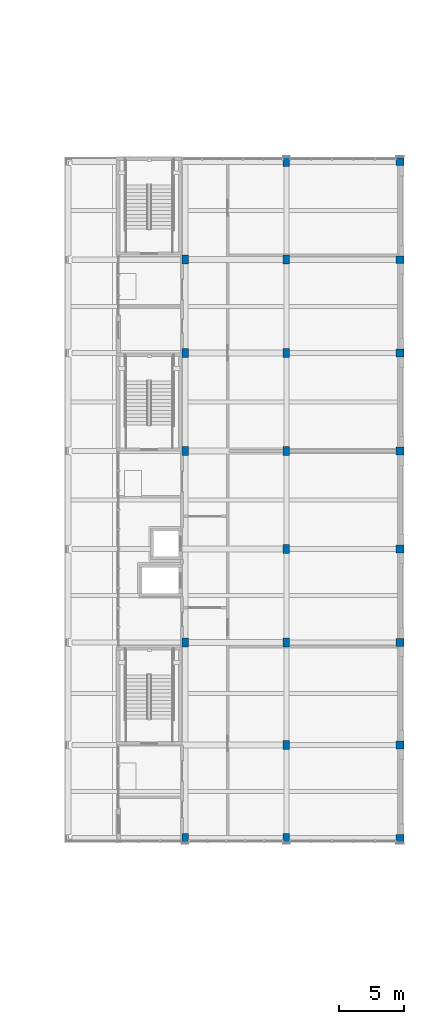
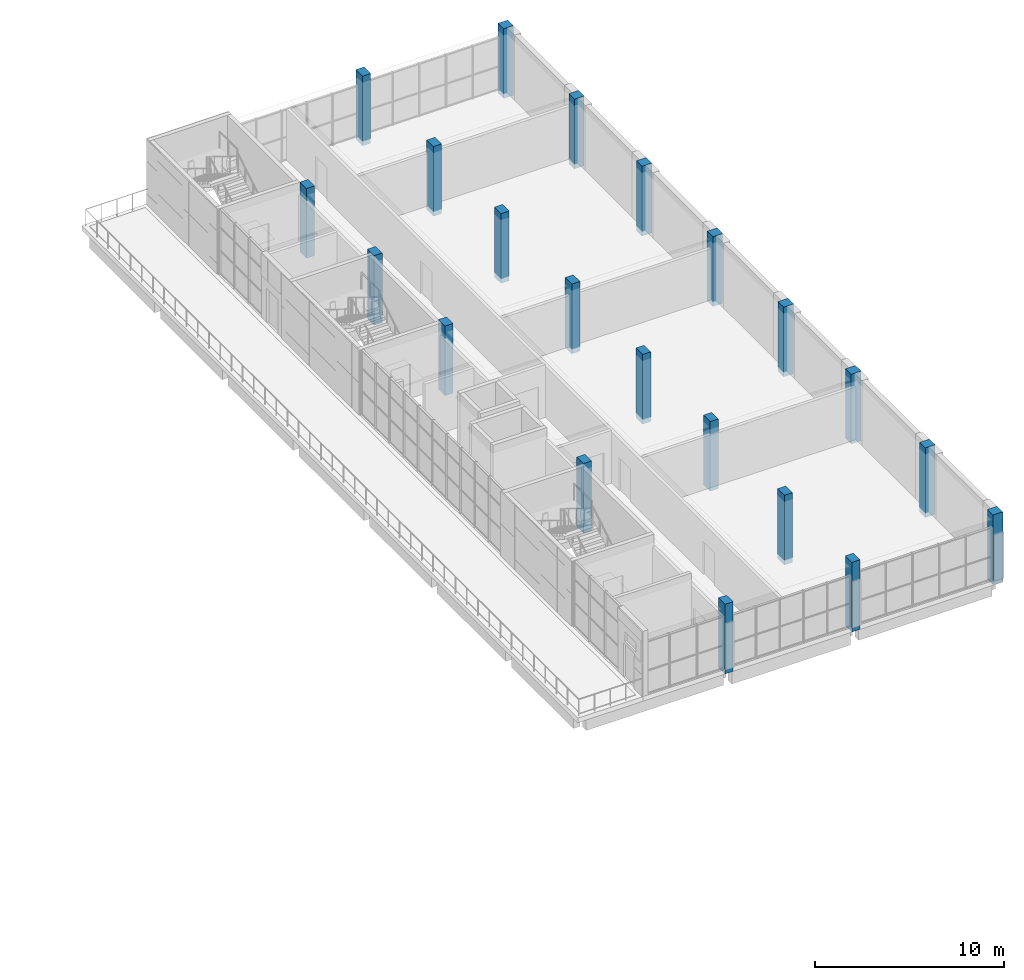
# One storey, part 1 of 36: 21 columns.
"""IFC4 building model written with IfcOpenShell, lengths in metres."""

from ifc_helpers import new_model, si_unit, direction, frame, origin, origin_2d, place, context, subcontext, project, spatial, rectangle, extrude, material, material_profile, profile_set, type_object, element, save


model = new_model("IFC4")

# Units and contexts
model_context = context("Model", 3, precision=1e-05, world=origin(), true_north=direction((0.0, 1.0)))
body_context = subcontext(model_context, "Body", "Model", "MODEL_VIEW")
ifc_project = project(units=[si_unit("LENGTHUNIT", "METRE"), si_unit("AREAUNIT", "SQUARE_METRE"), si_unit("VOLUMEUNIT", "CUBIC_METRE"), si_unit("PLANEANGLEUNIT", "RADIAN"), si_unit("MASSUNIT", "GRAM", prefix="KILO")], contexts=[model_context])

# Site, building, storey
site_placement = place(None, origin())
site = spatial("IfcSite", under=ifc_project, at=site_placement, CompositionType="ELEMENT")
building_placement = place(site_placement, origin())
building = spatial("IfcBuilding", under=site, at=building_placement, Name="Sun Court Science Centre", CompositionType="ELEMENT")
storey_placement = place(building_placement, frame((0.0, 0.0, 24.75)))
storey = spatial("IfcBuildingStorey", under=building, at=storey_placement, Name="L05", CompositionType="ELEMENT", Elevation=24.75)

# Columns
ifc_material_1 = material(Name="Concrete C30/37", Category="concrete")
ifc_material_profile_1 = material_profile(ifc_material_1, rectangle(XDim=0.5, YDim=0.699951171875, at=origin_2d()), Name="RC 500x700")
ifc_profile_set_1 = profile_set([ifc_material_profile_1], Name="Concrete C30/37")
column_type_1 = type_object("IfcColumnType", Name="RC column 500x700", PredefinedType="COLUMN", material=ifc_profile_set_1)
for number, where, z_axis, x_axis, name in (
    (1, (87.25, 28.85009765625, -0.300048828125), (0.0, 0.0, 1.0), (1.0, 0.0, 0.0), "Column 14F L05"),
    (2, (87.25, 43.85009765625, -0.300048828125), (0.0, 0.0, 1.0), (1.0, 0.0, 0.0), "Column 14J L05"),
    (3, (87.25, 58.5, -0.300048828125), (0.0, 0.0, 1.0), (1.0, 0.0, 0.0), "Column 14P L05"),
    (4, (87.25, 66.0, -0.300048828125), (0.0, 0.0, 1.0), (1.0, 0.0, 0.0), "Column 14R L05"),
    (5, (87.25, 73.14990234375, -0.300048828125), (0.0, 0.0, 1.0), (1.0, 0.0, 0.0), "Column 14U L05"),
    (6, (95.0, 28.85009765625, -0.300048828125), (0.0, 0.0, 1.0), (1.0, 0.0, 0.0), "Column 15F L05"),
    (7, (95.0, 36.0, -0.300048828125), (0.0, 0.0, 1.0), (1.0, 0.0, 0.0), "Column 15G L05"),
    (8, (95.0, 43.85009765625, -0.300048828125), (0.0, 0.0, 1.0), (1.0, 0.0, 0.0), "Column 15J L05"),
    (9, (95.0, 51.0, -0.300048828125), (0.0, 0.0, 1.0), (1.0, 0.0, 0.0), "Column 15M L05"),
    (10, (95.0, 58.5, -0.300048828125), (0.0, 0.0, 1.0), (1.0, 0.0, 0.0), "Column 15P L05"),
    (11, (95.0, 66.0, -0.300048828125), (0.0, 0.0, 1.0), (1.0, 0.0, 0.0), "Column 15R L05"),
    (12, (95.0, 73.14990234375, -0.300048828125), (0.0, 0.0, 1.0), (1.0, 0.0, 0.0), "Column 15U L05"),
    (13, (95.0, 80.64990234375, -0.300048828125), (0.0, 0.0, 1.0), (1.0, 0.0, 0.0), "Column 15V L05"),
):
    element("IfcColumn", number, at=place(storey_placement, frame(where, z_axis=z_axis, x_axis=x_axis)), inside=storey, type_object=column_type_1, Name=name, PredefinedType="COLUMN", context=body_context, shape_type="SweptSolid", body=[
        extrude(rectangle(XDim=0.5, YDim=0.699951171875, at=origin_2d()), origin(), (0.0, 0.0, 1.0), 4.5),
    ])
ifc_material_2 = material(Name="Concrete C30/37", Category="concrete")
ifc_material_profile_2 = material_profile(ifc_material_2, rectangle(XDim=0.60009765625, YDim=0.60009765625, at=origin_2d()), Name="RC 600x600")
ifc_profile_set_2 = profile_set([ifc_material_profile_2], Name="Concrete C30/37")
column_type_2 = type_object("IfcColumnType", Name="RC column 600x600", PredefinedType="COLUMN", material=ifc_profile_set_2)
for number, where, z_axis, x_axis, name in (
    (14, (103.699951171875, 28.85009765625, -0.300048828125), (0.0, 0.0, 1.0), (1.0, 0.0, 0.0), "Column 16F L05"),
    (15, (103.699951171875, 36.0, -0.300048828125), (0.0, 0.0, 1.0), (1.0, 0.0, 0.0), "Column 16G L05"),
    (16, (103.699951171875, 43.85009765625, -0.300048828125), (0.0, 0.0, 1.0), (1.0, 0.0, 0.0), "Column 16J L05"),
    (17, (103.699951171875, 51.0, -0.300048828125), (0.0, 0.0, 1.0), (1.0, 0.0, 0.0), "Column 16M L05"),
    (18, (103.699951171875, 58.5, -0.300048828125), (0.0, 0.0, 1.0), (1.0, 0.0, 0.0), "Column 16P L05"),
    (19, (103.699951171875, 66.0, -0.300048828125), (0.0, 0.0, 1.0), (1.0, 0.0, 0.0), "Column 16R L05"),
    (20, (103.699951171875, 73.14990234375, -0.300048828125), (0.0, 0.0, 1.0), (1.0, 0.0, 0.0), "Column 16U L05"),
    (21, (103.699951171875, 80.64990234375, -0.300048828125), (0.0, 0.0, 1.0), (1.0, 0.0, 0.0), "Column 16V L05"),
):
    element("IfcColumn", number, at=place(storey_placement, frame(where, z_axis=z_axis, x_axis=x_axis)), inside=storey, type_object=column_type_2, Name=name, PredefinedType="COLUMN", context=body_context, shape_type="SweptSolid", body=[
        extrude(rectangle(XDim=0.60009765625, YDim=0.60009765625, at=origin_2d()), origin(), (0.0, 0.0, 1.0), 4.5),
    ])

save(model, "model.ifc")
